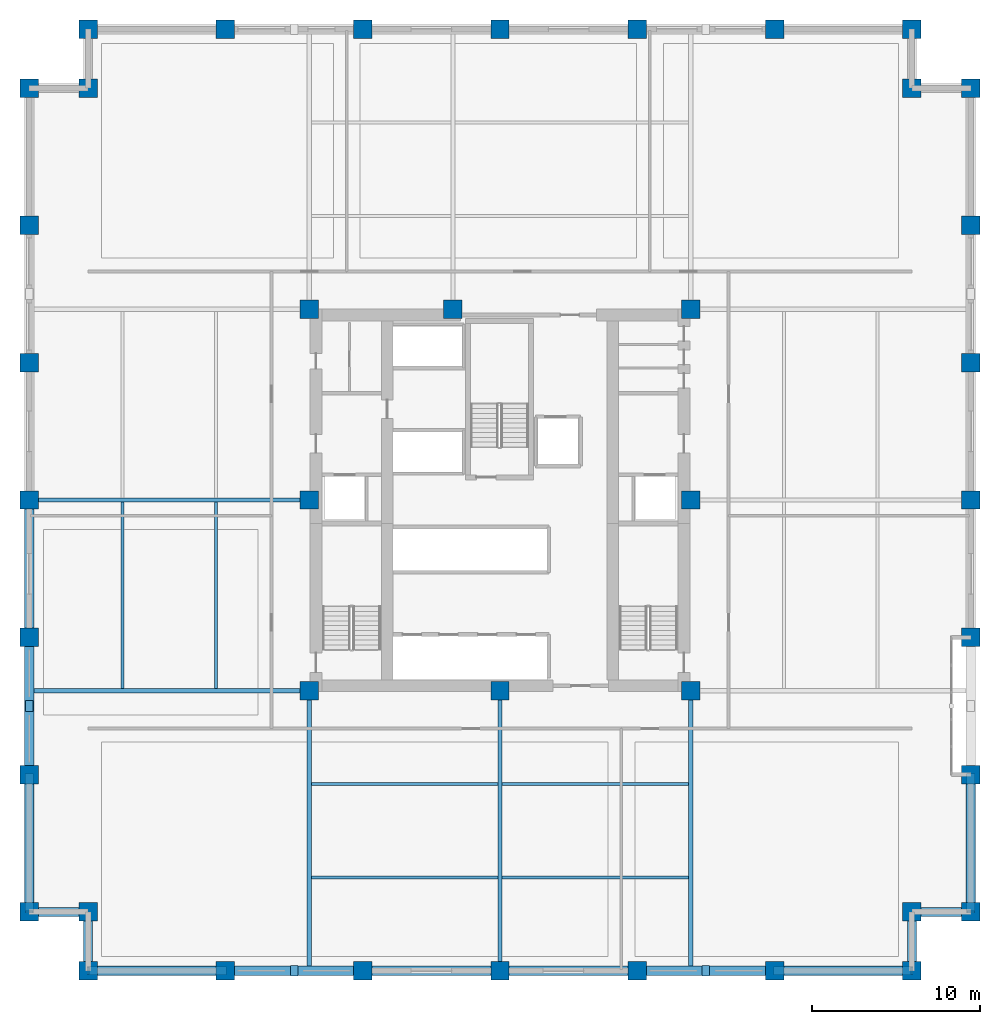
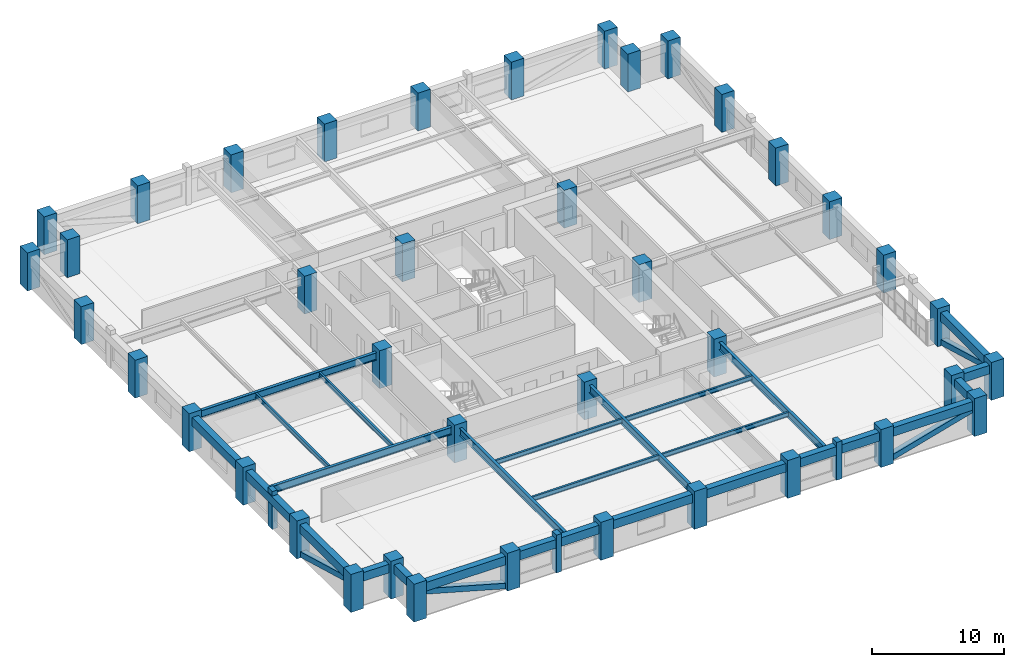
# One storey, part 1 of 12: 40 columns, 25 beams, 7 members.
"""IFC4 building model written with IfcOpenShell, lengths in metres."""

from ifc_helpers import new_model, si_unit, direction, frame, origin, origin_2d, place, context, subcontext, project, spatial, rectangle, hollow_rectangle, i_section, extrude, material, material_profile, profile_set, type_object, element, save


model = new_model("IFC4")

# Units and contexts
model_context = context("Model", 3, precision=1e-05, world=origin(), true_north=direction((0.0, 1.0)))
body_context = subcontext(model_context, "Body", "Model", "MODEL_VIEW")
ifc_project = project(units=[si_unit("LENGTHUNIT", "METRE"), si_unit("AREAUNIT", "SQUARE_METRE"), si_unit("VOLUMEUNIT", "CUBIC_METRE"), si_unit("PLANEANGLEUNIT", "RADIAN"), si_unit("MASSUNIT", "GRAM", prefix="KILO")], contexts=[model_context])

# Site, building, storey
site_placement = place(None, origin())
site = spatial("IfcSite", under=ifc_project, at=site_placement, CompositionType="ELEMENT")
building_placement = place(site_placement, origin())
building = spatial("IfcBuilding", under=site, at=building_placement, Name="Nhamokura Convention Tower", CompositionType="ELEMENT")
storey_placement = place(building_placement, frame((0.0, 0.0, 96.25)))
storey = spatial("IfcBuildingStorey", under=building, at=storey_placement, Name="L23", CompositionType="ELEMENT", Elevation=96.25)

# Columns
ifc_material_1 = material(Name="Concrete C60/75", Category="concrete")
ifc_material_profile_1 = material_profile(ifc_material_1, rectangle(XDim=1.10009765625, YDim=1.10009765625, at=origin_2d()))
ifc_profile_set_1 = profile_set([ifc_material_profile_1], Name="Concrete C60/75")
column_type = type_object("IfcColumnType", Name="TubeColumn_Z1_1100", PredefinedType="COLUMN", material=ifc_profile_set_1)
for number, where, z_axis, x_axis, name in (
    (1, (20.64990234375, 20.64990234375, 0.0), (0.0, 0.0, 1.0), (1.0, 0.0, 0.0), "L23 Core Column CC-SW"),
    (2, (32.0, 20.64990234375, 0.0), (0.0, 0.0, 1.0), (1.0, 0.0, 0.0), "L23 Core Column CC-S"),
    (3, (43.35009765625, 20.64990234375, 0.0), (0.0, 0.0, 1.0), (1.0, 0.0, 0.0), "L23 Core Column CC-SE"),
    (4, (43.35009765625, 32.0, 0.0), (0.0, 0.0, 1.0), (1.0, 0.0, 0.0), "L23 Core Column CC-E"),
    (5, (43.35009765625, 43.35009765625, 0.0), (0.0, 0.0, 1.0), (1.0, 0.0, 0.0), "L23 Core Column CC-NE"),
    (6, (29.199951171875, 43.35009765625, 0.0), (0.0, 0.0, 1.0), (1.0, 0.0, 0.0), "L23 Core Column CC-N"),
    (7, (20.64990234375, 43.35009765625, 0.0), (0.0, 0.0, 1.0), (1.0, 0.0, 0.0), "L23 Core Column CC-NW"),
    (8, (20.64990234375, 32.0, 0.0), (0.0, 0.0, 1.0), (1.0, 0.0, 0.0), "L23 Core Column CC-W"),
    (9, (7.5, 4.0, 0.0), (0.0, 0.0, 1.0), (1.0, 0.0, 0.0), "L23 Perimeter Tube Column SW1"),
    (10, (7.5, 7.5, 0.0), (0.0, 0.0, 1.0), (1.0, 0.0, 0.0), "L23 Perimeter Tube Column SW0"),
    (11, (4.0, 7.5, 0.0), (0.0, 0.0, 1.0), (1.0, 0.0, 0.0), "L23 Perimeter Tube Column SW2"),
    (12, (56.5, 4.0, 0.0), (0.0, 0.0, 1.0), (1.0, 0.0, 0.0), "L23 Perimeter Tube Column SE1"),
    (13, (56.5, 7.5, 0.0), (0.0, 0.0, 1.0), (1.0, 0.0, 0.0), "L23 Perimeter Tube Column SE0"),
    (14, (60.0, 7.5, 0.0), (0.0, 0.0, 1.0), (1.0, 0.0, 0.0), "L23 Perimeter Tube Column SE2"),
    (15, (60.0, 56.5, 0.0), (0.0, 0.0, 1.0), (1.0, 0.0, 0.0), "L23 Perimeter Tube Column NE1"),
    (16, (56.5, 56.5, 0.0), (0.0, 0.0, 1.0), (1.0, 0.0, 0.0), "L23 Perimeter Tube Column NE0"),
    (17, (56.5, 60.0, 0.0), (0.0, 0.0, 1.0), (1.0, 0.0, 0.0), "L23 Perimeter Tube Column NE2"),
    (18, (7.5, 60.0, 0.0), (0.0, 0.0, 1.0), (1.0, 0.0, 0.0), "L23 Perimeter Tube Column NW1"),
    (19, (7.5, 56.5, 0.0), (0.0, 0.0, 1.0), (1.0, 0.0, 0.0), "L23 Perimeter Tube Column NW0"),
    (20, (4.0, 56.5, 0.0), (0.0, 0.0, 1.0), (1.0, 0.0, 0.0), "L23 Perimeter Tube Column NW2"),
    (21, (15.666748046875, 4.0, 0.0), (0.0, 0.0, 1.0), (1.0, 0.0, 0.0), "L23 Perimeter Tube Column S1"),
    (22, (15.666748046875, 60.0, 0.0), (0.0, 0.0, 1.0), (1.0, 0.0, 0.0), "L23 Perimeter Tube Column N1"),
    (23, (4.0, 15.666748046875, 0.0), (0.0, 0.0, 1.0), (1.0, 0.0, 0.0), "L23 Perimeter Tube Column W1"),
    (24, (60.0, 15.666748046875, 0.0), (0.0, 0.0, 1.0), (1.0, 0.0, 0.0), "L23 Perimeter Tube Column E1"),
    (25, (23.833251953125, 4.0, 0.0), (0.0, 0.0, 1.0), (1.0, 0.0, 0.0), "L23 Perimeter Tube Column S2"),
    (26, (23.833251953125, 60.0, 0.0), (0.0, 0.0, 1.0), (1.0, 0.0, 0.0), "L23 Perimeter Tube Column N2"),
    (27, (4.0, 23.833251953125, 0.0), (0.0, 0.0, 1.0), (1.0, 0.0, 0.0), "L23 Perimeter Tube Column W2"),
    (28, (60.0, 23.833251953125, 0.0), (0.0, 0.0, 1.0), (1.0, 0.0, 0.0), "L23 Perimeter Tube Column E2"),
    (29, (32.0, 4.0, 0.0), (0.0, 0.0, 1.0), (1.0, 0.0, 0.0), "L23 Perimeter Tube Column S3"),
    (30, (32.0, 60.0, 0.0), (0.0, 0.0, 1.0), (1.0, 0.0, 0.0), "L23 Perimeter Tube Column N3"),
    (31, (4.0, 32.0, 0.0), (0.0, 0.0, 1.0), (1.0, 0.0, 0.0), "L23 Perimeter Tube Column W3"),
    (32, (60.0, 32.0, 0.0), (0.0, 0.0, 1.0), (1.0, 0.0, 0.0), "L23 Perimeter Tube Column E3"),
    (33, (40.166748046875, 4.0, 0.0), (0.0, 0.0, 1.0), (1.0, 0.0, 0.0), "L23 Perimeter Tube Column S4"),
    (34, (40.166748046875, 60.0, 0.0), (0.0, 0.0, 1.0), (1.0, 0.0, 0.0), "L23 Perimeter Tube Column N4"),
    (35, (4.0, 40.166748046875, 0.0), (0.0, 0.0, 1.0), (1.0, 0.0, 0.0), "L23 Perimeter Tube Column W4"),
    (36, (60.0, 40.166748046875, 0.0), (0.0, 0.0, 1.0), (1.0, 0.0, 0.0), "L23 Perimeter Tube Column E4"),
    (37, (48.333251953125, 4.0, 0.0), (0.0, 0.0, 1.0), (1.0, 0.0, 0.0), "L23 Perimeter Tube Column S5"),
    (38, (48.333251953125, 60.0, 0.0), (0.0, 0.0, 1.0), (1.0, 0.0, 0.0), "L23 Perimeter Tube Column N5"),
    (39, (4.0, 48.333251953125, 0.0), (0.0, 0.0, 1.0), (1.0, 0.0, 0.0), "L23 Perimeter Tube Column W5"),
    (40, (60.0, 48.333251953125, 0.0), (0.0, 0.0, 1.0), (1.0, 0.0, 0.0), "L23 Perimeter Tube Column E5"),
):
    element("IfcColumn", number, at=place(storey_placement, frame(where, z_axis=z_axis, x_axis=x_axis)), inside=storey, type_object=column_type, Name=name, PredefinedType="COLUMN", context=body_context, shape_type="SweptSolid", body=[
        extrude(rectangle(XDim=1.10009765625, YDim=1.10009765625, at=origin_2d()), origin(), (0.0, 0.0, 1.0), 3.5),
    ])

# Members
ifc_material_2 = material(Name="Bronze-pigmented precast concrete C45/55", Category="concrete")
ifc_material_profile_2 = material_profile(ifc_material_2, rectangle(XDim=0.449951171875, YDim=0.64990234375, at=origin_2d()))
ifc_profile_set_2 = profile_set([ifc_material_profile_2], Name="Bronze-pigmented precast concrete C45/55")
member_type_1 = type_object("IfcMemberType", Name="BronzePilaster_650", PredefinedType="USERDEFINED", material=ifc_profile_set_2)
for number, where, z_axis, x_axis, name in (
    (41, (19.75, 4.0, 0.0), (0.0, 0.0, 1.0), (1.0, 0.0, 0.0), "L23 Engaged Frame Pilaster SOUTH 1"),
    (42, (44.25, 4.0, 0.0), (0.0, 0.0, 1.0), (1.0, 0.0, 0.0), "L23 Engaged Frame Pilaster SOUTH 4"),
    (43, (4.0, 19.75, 0.0), (0.0, 0.0, 1.0), (1.0, 0.0, 0.0), "L23 Engaged Frame Pilaster WEST 1"),
):
    element("IfcMember", number, at=place(storey_placement, frame(where, z_axis=z_axis, x_axis=x_axis)), inside=storey, type_object=member_type_1, Name=name, ObjectType="PILASTER_TRIM", PredefinedType="USERDEFINED", context=body_context, shape_type="SweptSolid", body=[
        extrude(rectangle(XDim=0.449951171875, YDim=0.64990234375, at=origin_2d()), origin(), (0.0, 0.0, 1.0), 3.5),
    ])

# Beams
ifc_material_3 = material(Name="Steel ASTM A992 Gr 50", Category="steel")
ifc_material_profile_3 = material_profile(ifc_material_3, i_section(OverallWidth=0.178955078125, OverallDepth=0.409912109375, WebThickness=0.0087890625, FlangeThickness=0.014404296875, at=origin_2d()))
ifc_profile_set_3 = profile_set([ifc_material_profile_3], Name="Steel ASTM A992 Gr 50")
beam_type_1 = type_object("IfcBeamType", Name="FloorJoist_W410X67", PredefinedType="JOIST", material=ifc_profile_set_3)
for number, where, z_axis, x_axis, name in (
    (44, (20.77587890625, 9.550048828125, 2.875), (1.0, 0.0, 0.0), (0.0, 1.0, 0.0), "L23 Composite Floor Joist S1A"),
    (45, (32.1259765625, 9.550048828125, 2.875), (1.0, 0.0, 0.0), (0.0, 1.0, 0.0), "L23 Composite Floor Joist S1B"),
    (46, (20.77587890625, 15.10009765625, 2.875), (1.0, 0.0, 0.0), (0.0, 1.0, 0.0), "L23 Composite Floor Joist S2A"),
    (47, (32.1259765625, 15.10009765625, 2.875), (1.0, 0.0, 0.0), (0.0, 1.0, 0.0), "L23 Composite Floor Joist S2B"),
    (48, (9.550048828125, 20.77587890625, 2.875), (0.0, 1.0, 0.0), (-1.0, 0.0, 0.0), "L23 Composite Floor Joist W1A"),
    (49, (15.10009765625, 20.77587890625, 2.875), (0.0, 1.0, 0.0), (-1.0, 0.0, 0.0), "L23 Composite Floor Joist W2A"),
):
    element("IfcBeam", number, at=place(storey_placement, frame(where, z_axis=z_axis, x_axis=x_axis)), inside=storey, type_object=beam_type_1, Name=name, PredefinedType="JOIST", context=body_context, shape_type="SweptSolid", body=[
        extrude(i_section(OverallWidth=0.178955078125, OverallDepth=0.409912109375, WebThickness=0.0087890625, FlangeThickness=0.014404296875, at=origin_2d()), origin(), (0.0, 0.0, 1.0), 11.09814453125),
    ])
ifc_material_4 = material(Name="Steel ASTM A992 Gr 50", Category="steel")
ifc_material_profile_4 = material_profile(ifc_material_4, i_section(OverallWidth=0.256103515625, OverallDepth=0.693115234375, WebThickness=0.014404296875, FlangeThickness=0.023681640625, at=origin_2d()))
ifc_profile_set_4 = profile_set([ifc_material_profile_4], Name="Steel ASTM A992 Gr 50")
beam_type_2 = type_object("IfcBeamType", Name="PrimaryGirder_W690X170", PredefinedType="BEAM", material=ifc_profile_set_4)
for number, where, z_axis, x_axis, name in (
    (50, (20.64990234375, 4.0, 2.7333984375), (0.0, 1.0, 0.0), (-1.0, 0.0, 0.0), "L23 Primary Floor Girder PG-S1"),
    (51, (32.0, 4.0, 2.7333984375), (0.0, 1.0, 0.0), (-1.0, 0.0, 0.0), "L23 Primary Floor Girder PG-S2"),
    (52, (43.35009765625, 4.0, 2.7333984375), (0.0, 1.0, 0.0), (-1.0, 0.0, 0.0), "L23 Primary Floor Girder PG-S3"),
    (53, (4.0, 20.64990234375, 2.7333984375), (1.0, 0.0, 0.0), (0.0, 1.0, 0.0), "L23 Primary Floor Girder PG-W1"),
    (54, (4.0, 32.0, 2.7333984375), (1.0, 0.0, 0.0), (0.0, 1.0, 0.0), "L23 Primary Floor Girder PG-W2"),
):
    element("IfcBeam", number, at=place(storey_placement, frame(where, z_axis=z_axis, x_axis=x_axis)), inside=storey, type_object=beam_type_2, Name=name, PredefinedType="BEAM", context=body_context, shape_type="SweptSolid", body=[
        extrude(i_section(OverallWidth=0.256103515625, OverallDepth=0.693115234375, WebThickness=0.014404296875, FlangeThickness=0.023681640625, at=origin_2d()), origin(), (0.0, 0.0, 1.0), 16.64990234375),
    ])

# Members
ifc_material_5 = material(Name="Steel ASTM A572 Gr 50", Category="steel")
ifc_material_profile_5 = material_profile(ifc_material_5, hollow_rectangle(XDim=0.5, YDim=0.5, WallThickness=0.02490234375, at=origin_2d()))
ifc_profile_set_5 = profile_set([ifc_material_profile_5], Name="Steel ASTM A572 Gr 50")
member_type_2 = type_object("IfcMemberType", Name="TubeBrace_HSS500", PredefinedType="BRACE", material=ifc_profile_set_5)
for number, where, z_axis, x_axis, name in (
    (55, (15.666748046875, 4.0, 0.14990234375), (-0.963167690303, 0.0, 0.268901469605), (0.0, -1.0, 0.0), "L23 Perimeter Tube Brace SOUTH Bay 0"),
    (56, (48.333251953125, 4.0, 0.14990234375), (0.963167690303, 0.0, 0.268901469605), (0.0, 1.0, 0.0), "L23 Perimeter Tube Brace SOUTH Bay 5"),
    (57, (4.0, 15.666748046875, 0.14990234375), (0.0, -0.963167690303, 0.268901469605), (1.0, 0.0, 0.0), "L23 Perimeter Tube Brace WEST Bay 0"),
    (58, (60.0, 15.666748046875, 0.14990234375), (0.0, -0.963167690303, 0.268901469605), (1.0, 0.0, 0.0), "L23 Perimeter Tube Brace EAST Bay 0"),
):
    element("IfcMember", number, at=place(storey_placement, frame(where, z_axis=z_axis, x_axis=x_axis)), inside=storey, type_object=member_type_2, Name=name, PredefinedType="BRACE", context=body_context, shape_type="SweptSolid", body=[
        extrude(hollow_rectangle(XDim=0.5, YDim=0.5, WallThickness=0.02490234375, at=origin_2d()), origin(), (0.0, 0.0, 1.0), 8.47900390625),
    ])

# Beams
ifc_material_6 = material(Name="Concrete C50/60", Category="concrete")
ifc_material_profile_6 = material_profile(ifc_material_6, rectangle(XDim=0.550048828125, YDim=0.800048828125, at=origin_2d()))
ifc_profile_set_6 = profile_set([ifc_material_profile_6], Name="Concrete C50/60")
beam_type_3 = type_object("IfcBeamType", Name="TubeSpandrel_800", PredefinedType="SPANDREL", material=ifc_profile_set_6)
beam_1_placement = place(storey_placement, frame((7.5, 4.0, 2.679931640625), z_axis=(1.0, 0.0, 0.0), x_axis=(0.0, 1.0, 0.0)))
element("IfcBeam", 59, at=beam_1_placement, inside=storey, type_object=beam_type_3, Name="L23 Perimeter Spandrel SOUTH 1", PredefinedType="SPANDREL", context=body_context, shape_type="SweptSolid", body=[
    extrude(rectangle(XDim=0.550048828125, YDim=0.800048828125, at=origin_2d()), origin(), (0.0, 0.0, 1.0), 8.166748046875),
])
beam_2_placement = place(storey_placement, frame((15.666748046875, 4.0, 2.679931640625), z_axis=(1.0, 0.0, 0.0), x_axis=(0.0, 1.0, 0.0)))
element("IfcBeam", 60, at=beam_2_placement, inside=storey, type_object=beam_type_3, Name="L23 Perimeter Spandrel SOUTH 2", PredefinedType="SPANDREL", context=body_context, shape_type="SweptSolid", body=[
    extrude(rectangle(XDim=0.550048828125, YDim=0.800048828125, at=origin_2d()), origin(), (0.0, 0.0, 1.0), 8.16650390625),
])
for number, where, z_axis, x_axis, name in (
    (61, (23.833251953125, 4.0, 2.679931640625), (1.0, 0.0, 0.0), (0.0, 1.0, 0.0), "L23 Perimeter Spandrel SOUTH 3"),
    (62, (32.0, 4.0, 2.679931640625), (1.0, 0.0, 0.0), (0.0, 1.0, 0.0), "L23 Perimeter Spandrel SOUTH 4"),
):
    element("IfcBeam", number, at=place(storey_placement, frame(where, z_axis=z_axis, x_axis=x_axis)), inside=storey, type_object=beam_type_3, Name=name, PredefinedType="SPANDREL", context=body_context, shape_type="SweptSolid", body=[
        extrude(rectangle(XDim=0.550048828125, YDim=0.800048828125, at=origin_2d()), origin(), (0.0, 0.0, 1.0), 8.166748046875),
    ])
beam_3_placement = place(storey_placement, frame((40.166748046875, 4.0, 2.679931640625), z_axis=(1.0, 0.0, 0.0), x_axis=(0.0, 1.0, 0.0)))
element("IfcBeam", 63, at=beam_3_placement, inside=storey, type_object=beam_type_3, Name="L23 Perimeter Spandrel SOUTH 5", PredefinedType="SPANDREL", context=body_context, shape_type="SweptSolid", body=[
    extrude(rectangle(XDim=0.550048828125, YDim=0.800048828125, at=origin_2d()), origin(), (0.0, 0.0, 1.0), 8.16650390625),
])
for number, where, z_axis, x_axis, name in (
    (64, (48.333251953125, 4.0, 2.679931640625), (1.0, 0.0, 0.0), (0.0, 1.0, 0.0), "L23 Perimeter Spandrel SOUTH 6"),
    (65, (4.0, 7.5, 2.679931640625), (0.0, 1.0, 0.0), (-1.0, 0.0, 0.0), "L23 Perimeter Spandrel WEST 1"),
):
    element("IfcBeam", number, at=place(storey_placement, frame(where, z_axis=z_axis, x_axis=x_axis)), inside=storey, type_object=beam_type_3, Name=name, PredefinedType="SPANDREL", context=body_context, shape_type="SweptSolid", body=[
        extrude(rectangle(XDim=0.550048828125, YDim=0.800048828125, at=origin_2d()), origin(), (0.0, 0.0, 1.0), 8.166748046875),
    ])
beam_4_placement = place(storey_placement, frame((4.0, 15.666748046875, 2.679931640625), z_axis=(0.0, 1.0, 0.0), x_axis=(-1.0, 0.0, 0.0)))
element("IfcBeam", 66, at=beam_4_placement, inside=storey, type_object=beam_type_3, Name="L23 Perimeter Spandrel WEST 2", PredefinedType="SPANDREL", context=body_context, shape_type="SweptSolid", body=[
    extrude(rectangle(XDim=0.550048828125, YDim=0.800048828125, at=origin_2d()), origin(), (0.0, 0.0, 1.0), 8.16650390625),
])
for number, where, z_axis, x_axis, name in (
    (67, (4.0, 23.833251953125, 2.679931640625), (0.0, 1.0, 0.0), (-1.0, 0.0, 0.0), "L23 Perimeter Spandrel WEST 3"),
    (68, (60.0, 7.5, 2.679931640625), (0.0, 1.0, 0.0), (-1.0, 0.0, 0.0), "L23 Perimeter Spandrel EAST 1"),
):
    element("IfcBeam", number, at=place(storey_placement, frame(where, z_axis=z_axis, x_axis=x_axis)), inside=storey, type_object=beam_type_3, Name=name, PredefinedType="SPANDREL", context=body_context, shape_type="SweptSolid", body=[
        extrude(rectangle(XDim=0.550048828125, YDim=0.800048828125, at=origin_2d()), origin(), (0.0, 0.0, 1.0), 8.166748046875),
    ])
for number, where, z_axis, x_axis, name in (
    (69, (7.5, 4.0, 2.679931640625), (0.0, 1.0, 0.0), (-1.0, 0.0, 0.0), "L23 Notch Spandrel SW1"),
    (70, (7.5, 7.5, 2.679931640625), (-1.0, 0.0, 0.0), (0.0, -1.0, 0.0), "L23 Notch Spandrel SW2"),
    (71, (56.5, 4.0, 2.679931640625), (0.0, 1.0, 0.0), (-1.0, 0.0, 0.0), "L23 Notch Spandrel SE1"),
    (72, (56.5, 7.5, 2.679931640625), (1.0, 0.0, 0.0), (0.0, 1.0, 0.0), "L23 Notch Spandrel SE2"),
):
    element("IfcBeam", number, at=place(storey_placement, frame(where, z_axis=z_axis, x_axis=x_axis)), inside=storey, type_object=beam_type_3, Name=name, PredefinedType="SPANDREL", context=body_context, shape_type="SweptSolid", body=[
        extrude(rectangle(XDim=0.550048828125, YDim=0.800048828125, at=origin_2d()), origin(), (0.0, 0.0, 1.0), 3.5),
    ])

save(model, "model.ifc")
